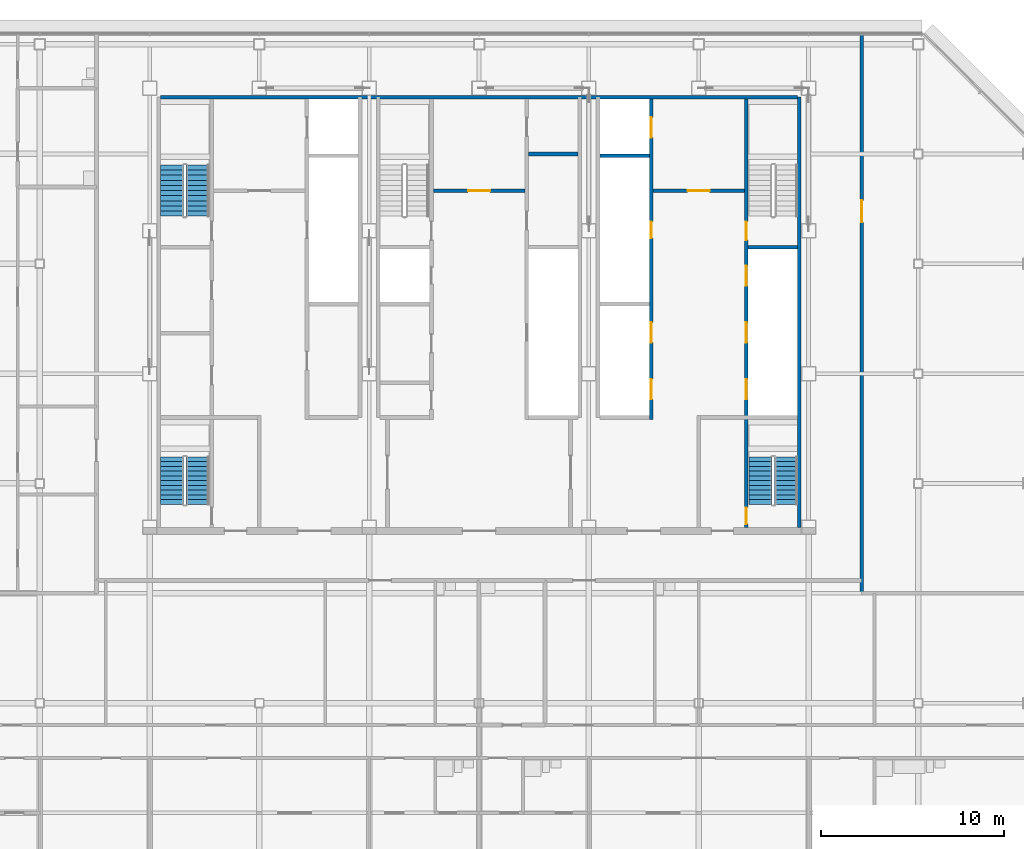
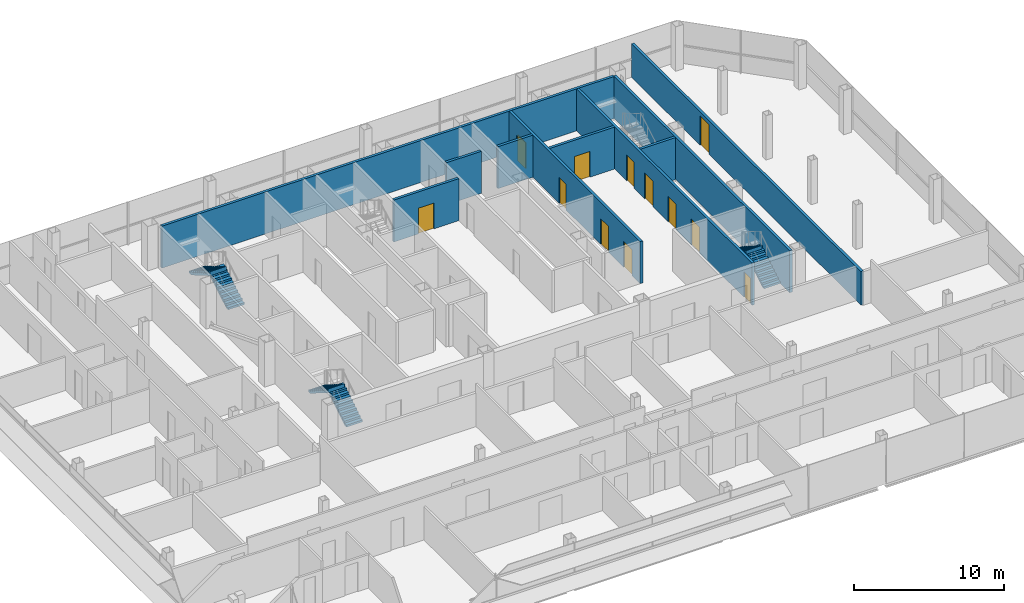
# One storey, part 25 of 28: 12 doors, 10 walls, 6 stair flights, 12 openings, 3 elements without a shape of their own.
"""IFC4 building model written with IfcOpenShell, lengths in metres."""

from ifc_helpers import new_model, si_unit, direction, frame, frame_2d, origin, place, context, subcontext, project, spatial, polyline, rectangle, outline, extrude, material, layer, layer_set, type_object, element, fill, aggregate, save


model = new_model("IFC4")

# Units and contexts
model_context = context("Model", 3, precision=1e-05, world=origin(), true_north=direction((0.0, 1.0)))
body_context = subcontext(model_context, "Body", "Model", "MODEL_VIEW")
ifc_project = project(units=[si_unit("LENGTHUNIT", "METRE"), si_unit("AREAUNIT", "SQUARE_METRE"), si_unit("VOLUMEUNIT", "CUBIC_METRE"), si_unit("PLANEANGLEUNIT", "RADIAN"), si_unit("MASSUNIT", "GRAM", prefix="KILO")], contexts=[model_context])

# Site, building, storey
site_placement = place(None, origin())
site = spatial("IfcSite", under=ifc_project, at=site_placement, CompositionType="ELEMENT")
building_placement = place(site_placement, origin())
building = spatial("IfcBuilding", under=site, at=building_placement, Name="Sorahane Residences", CompositionType="ELEMENT")
storey_placement = place(building_placement, frame((0.0, 0.0, 266.60009765625)))
storey = spatial("IfcBuildingStorey", under=building, at=storey_placement, Name="L63", CompositionType="ELEMENT", Elevation=266.60009765625)

# Walls
ifc_material_1 = material(Name="Concrete C30", Category="concrete")
ifc_layer_1 = layer(ifc_material_1, 0.199951171875)
ifc_layer_set_1 = layer_set([ifc_layer_1], Name="Core face wall 200 EI 180")
wall_type_1 = type_object("IfcWallType", Name="Core face wall 200 EI 180", PredefinedType="SOLIDWALL", material=ifc_layer_set_1)
wall_1_placement = place(storey_placement, frame((41.5, 21.60009765625, 0.0), z_axis=(0.0, 0.0, 1.0), x_axis=(0.0, 1.0, 0.0)))
element("IfcWall", 1, at=wall_1_placement, inside=storey, type_object=wall_type_1, Name="L63 core face wall", PredefinedType="SOLIDWALL", context=body_context, shape_type="SweptSolid", body=[
    extrude(rectangle(XDim=23.5, YDim=0.199951171875, at=frame_2d((11.75, 0.0))), origin(), (0.0, 0.0, 1.0), 3.419921875),
])
wall_2_placement = place(storey_placement, frame((6.60009765625, 45.10009765625, 0.0), z_axis=(0.0, 0.0, 1.0), x_axis=(1.0, 0.0, 0.0)))
element("IfcWall", 2, at=wall_2_placement, inside=storey, type_object=wall_type_1, Name="L63 core face wall", PredefinedType="SOLIDWALL", context=body_context, shape_type="SweptSolid", body=[
    extrude(rectangle(XDim=34.7998046875, YDim=0.199951171875, at=frame_2d((17.39990234375, 0.0))), origin(), (0.0, 0.0, 1.0), 3.419921875),
])

# Wall, opening, door
ifc_material_2 = material(Name="Concrete blockwork C20 wall", Category="masonry")
ifc_layer_2 = layer(ifc_material_2, 0.199951171875)
ifc_layer_set_2 = layer_set([ifc_layer_2], Name="Corridor wall 200 EI 120")
wall_type_2 = type_object("IfcWallType", Name="Corridor wall 200 EI 120", PredefinedType="SOLIDWALL", material=ifc_layer_set_2)
wall_3_placement = place(storey_placement, frame((44.89990234375, 18.0, 0.0), z_axis=(0.0, 0.0, 1.0), x_axis=(0.0, 1.0, 0.0)))
wall_3 = element("IfcWall", 3, at=wall_3_placement, inside=storey, type_object=wall_type_2, Name="L63 corridor wall", PredefinedType="SOLIDWALL", context=body_context, shape_type="SweptSolid", body=[
    extrude(rectangle(XDim=30.60009765625, YDim=0.199951171875, at=frame_2d((15.300048828125, 0.0))), origin(), (0.0, 0.0, 1.0), 2.719970703125),
])
opening_1_placement = place(wall_3_placement, frame((20.27001953125, 0.0, 0.0)))
opening_1 = element("IfcOpeningElement", 4, at=opening_1_placement, cuts=wall_3, Name="Opening L63-47", PredefinedType="OPENING", context=body_context, shape_type="SweptSolid", body=[
    extrude(rectangle(XDim=1.199951171875, YDim=2.39990234375, at=frame_2d((0.60009765625, 1.199951171875))), frame((0.0, 0.10986328125, 0.0), z_axis=(0.0, -1.0, 0.0), x_axis=(1.0, 0.0, 0.0)), (0.0, 0.0, 1.0), 0.219970703125),
])
ifc_material_3 = material(Name="Steel", Category="steel")
door_type_1 = type_object("IfcDoorType", Name="Lobby door 1200x2400 FD60", OperationType="NOTDEFINED", PredefinedType="DOOR", material=ifc_material_3)
door_1_placement = place(opening_1_placement, frame((1.199951171875, 0.0, 0.0), z_axis=(0.0, 0.0, 1.0), x_axis=(-1.0, 0.0, 0.0)))
door_1 = element("IfcDoor", 5, at=door_1_placement, inside=storey, type_object=door_type_1, Name="Lobby door L63-47", OperationType="SINGLE_SWING_LEFT", OverallHeight=2.39990234375, OverallWidth=1.199951171875, PredefinedType="DOOR", context=body_context, shape_type="SweptSolid", body=[
    extrude(rectangle(XDim=1.199951171875, YDim=2.39990234375, at=frame_2d((0.60009765625, 1.199951171875))), frame((0.0, 0.02490234375, 0.0), z_axis=(0.0, -1.0, 0.0), x_axis=(1.0, 0.0, 0.0)), (0.0, 0.0, 1.0), 0.050048828125),
])
fill(opening_1, door_1)

ifc_material_4 = material(Name="Concrete C30", Category="concrete")
ifc_layer_3 = layer(ifc_material_4, 0.199951171875)
ifc_layer_set_3 = layer_set([ifc_layer_3], Name="Front room wall 200 EI 120")
wall_type_3 = type_object("IfcWallType", Name="Front room wall 200 EI 120", PredefinedType="PARTITIONING", material=ifc_layer_set_3)
wall_4_placement = place(storey_placement, frame((21.5, 40.0, 0.0), z_axis=(0.0, 0.0, 1.0), x_axis=(1.0, 0.0, 0.0)))
wall_4 = element("IfcWall", 6, at=wall_4_placement, inside=storey, type_object=wall_type_3, Name="L63 front room wall", PredefinedType="PARTITIONING", context=body_context, shape_type="SweptSolid", body=[
    extrude(rectangle(XDim=5.0, YDim=0.199951171875, at=frame_2d((2.5, 0.0))), origin(), (0.0, 0.0, 1.0), 3.419921875),
])
opening_2_placement = place(wall_4_placement, frame((1.89990234375, 0.0, 0.0)))
opening_2 = element("IfcOpeningElement", 7, at=opening_2_placement, cuts=wall_4, Name="Opening L63-C09", PredefinedType="OPENING", context=body_context, shape_type="SweptSolid", body=[
    extrude(rectangle(XDim=1.199951171875, YDim=2.10009765625, at=frame_2d((0.60009765625, 1.050048828125))), frame((0.0, 0.10986328125, 0.0), z_axis=(0.0, -1.0, 0.0), x_axis=(1.0, 0.0, 0.0)), (0.0, 0.0, 1.0), 0.219970703125),
])
ifc_material_5 = material(Name="Steel", Category="steel")
door_type_2 = type_object("IfcDoorType", Name="Front room door 1200x2100 FD120", OperationType="NOTDEFINED", PredefinedType="DOOR", material=ifc_material_5)
door_2_placement = place(opening_2_placement, frame((1.199951171875, 0.0, 0.0), z_axis=(0.0, 0.0, 1.0), x_axis=(-1.0, 0.0, 0.0)))
door_2 = element("IfcDoor", 8, at=door_2_placement, inside=storey, type_object=door_type_2, Name="Front room door Stair S3 vestibule L63", OperationType="DOUBLE_DOOR_SINGLE_SWING", OverallHeight=2.10009765625, OverallWidth=1.199951171875, PredefinedType="DOOR", context=body_context, shape_type="SweptSolid", body=[
    extrude(rectangle(XDim=1.199951171875, YDim=2.10009765625, at=frame_2d((0.60009765625, 1.050048828125))), frame((0.0, 0.02490234375, 0.0), z_axis=(0.0, -1.0, 0.0), x_axis=(1.0, 0.0, 0.0)), (0.0, 0.0, 1.0), 0.050048828125),
])
fill(opening_2, door_2)

wall_5_placement = place(storey_placement, frame((33.5, 40.0, 0.0), z_axis=(0.0, 0.0, 1.0), x_axis=(1.0, 0.0, 0.0)))
wall_5 = element("IfcWall", 9, at=wall_5_placement, inside=storey, type_object=wall_type_3, Name="L63 front room wall", PredefinedType="PARTITIONING", context=body_context, shape_type="SweptSolid", body=[
    extrude(rectangle(XDim=5.0, YDim=0.199951171875, at=frame_2d((2.5, 0.0))), origin(), (0.0, 0.0, 1.0), 3.419921875),
])
opening_3_placement = place(wall_5_placement, frame((1.89990234375, 0.0, 0.0)))
opening_3 = element("IfcOpeningElement", 10, at=opening_3_placement, cuts=wall_5, Name="Opening L63-C10", PredefinedType="OPENING", context=body_context, shape_type="SweptSolid", body=[
    extrude(rectangle(XDim=1.199951171875, YDim=2.10009765625, at=frame_2d((0.60009765625, 1.050048828125))), frame((0.0, 0.10986328125, 0.0), z_axis=(0.0, -1.0, 0.0), x_axis=(1.0, 0.0, 0.0)), (0.0, 0.0, 1.0), 0.219970703125),
])
door_3_placement = place(opening_3_placement, frame((1.199951171875, 0.0, 0.0), z_axis=(0.0, 0.0, 1.0), x_axis=(-1.0, 0.0, 0.0)))
door_3 = element("IfcDoor", 11, at=door_3_placement, inside=storey, type_object=door_type_2, Name="Front room door Firefighting lobby FF2 front room L63", OperationType="DOUBLE_DOOR_SINGLE_SWING", OverallHeight=2.10009765625, OverallWidth=1.199951171875, PredefinedType="DOOR", context=body_context, shape_type="SweptSolid", body=[
    extrude(rectangle(XDim=1.199951171875, YDim=2.10009765625, at=frame_2d((0.60009765625, 1.050048828125))), frame((0.0, 0.02490234375, 0.0), z_axis=(0.0, -1.0, 0.0), x_axis=(1.0, 0.0, 0.0)), (0.0, 0.0, 1.0), 0.050048828125),
])
fill(opening_3, door_3)

# Wall, openings, doors
ifc_material_6 = material(Name="Concrete C30", Category="concrete")
ifc_layer_4 = layer(ifc_material_6, 0.199951171875)
ifc_layer_set_4 = layer_set([ifc_layer_4], Name="Lift shaft wall 200 EI 120")
wall_type_4 = type_object("IfcWallType", Name="Lift shaft wall 200 EI 120", PredefinedType="SOLIDWALL", material=ifc_layer_set_4)
wall_6_placement = place(storey_placement, frame((33.39990234375, 27.5, 0.0), z_axis=(0.0, 0.0, 1.0), x_axis=(0.0, 1.0, 0.0)))
wall_6 = element("IfcWall", 12, at=wall_6_placement, inside=storey, type_object=wall_type_4, Name="L63 lift shaft wall", PredefinedType="SOLIDWALL", context=body_context, shape_type="SweptSolid", body=[
    extrude(rectangle(XDim=17.5, YDim=0.199951171875, at=frame_2d((8.75, 0.0))), origin(), (0.0, 0.0, 1.0), 3.419921875),
])
opening_4_placement = place(wall_6_placement, frame((1.10009765625, 0.0, 0.0)))
opening_4 = element("IfcOpeningElement", 13, at=opening_4_placement, cuts=wall_6, Name="Opening L63-C14", PredefinedType="OPENING", context=body_context, shape_type="SweptSolid", body=[
    extrude(rectangle(XDim=1.10009765625, YDim=2.10009765625, at=frame_2d((0.550048828125, 1.050048828125))), frame((0.0, 0.10986328125, 0.0), z_axis=(0.0, -1.0, 0.0), x_axis=(1.0, 0.0, 0.0)), (0.0, 0.0, 1.0), 0.219970703125),
])
opening_5_placement = place(wall_6_placement, frame((4.199951171875, 0.0, 0.0)))
opening_5 = element("IfcOpeningElement", 14, at=opening_5_placement, cuts=wall_6, Name="Opening L63-C15", PredefinedType="OPENING", context=body_context, shape_type="SweptSolid", body=[
    extrude(rectangle(XDim=1.10009765625, YDim=2.10009765625, at=frame_2d((0.550048828125, 1.050048828125))), frame((0.0, 0.10986328125, 0.0), z_axis=(0.0, -1.0, 0.0), x_axis=(1.0, 0.0, 0.0)), (0.0, 0.0, 1.0), 0.219970703125),
])
opening_6_placement = place(wall_6_placement, frame((15.39990234375, 0.0, 0.0)))
opening_6 = element("IfcOpeningElement", 15, at=opening_6_placement, cuts=wall_6, Name="Opening L63-C16", PredefinedType="OPENING", context=body_context, shape_type="SweptSolid", body=[
    extrude(rectangle(XDim=1.10009765625, YDim=2.10009765625, at=frame_2d((0.550048828125, 1.050048828125))), frame((0.0, 0.10986328125, 0.0), z_axis=(0.0, -1.0, 0.0), x_axis=(1.0, 0.0, 0.0)), (0.0, 0.0, 1.0), 0.219970703125),
])
opening_7_placement = place(wall_6_placement, frame((9.89990234375, 0.0, 0.0)))
opening_7 = element("IfcOpeningElement", 16, at=opening_7_placement, cuts=wall_6, Name="Opening L63-C29", PredefinedType="OPENING", context=body_context, shape_type="SweptSolid", body=[
    extrude(rectangle(XDim=0.89990234375, YDim=2.10009765625, at=frame_2d((0.449951171875, 1.050048828125))), frame((0.0, 0.10986328125, 0.0), z_axis=(0.0, -1.0, 0.0), x_axis=(1.0, 0.0, 0.0)), (0.0, 0.0, 1.0), 0.219970703125),
])
ifc_material_7 = material(Name="Aluminium and stainless steel", Category="steel")
door_type_3 = type_object("IfcDoorType", Name="Lift landing door 1100x2100 E 60", OperationType="NOTDEFINED", PredefinedType="DOOR", material=ifc_material_7)
door_4_placement = place(opening_4_placement, origin())
door_4 = element("IfcDoor", 17, at=door_4_placement, inside=storey, type_object=door_type_3, Name="Lift landing door HR4 L63", OperationType="DOUBLE_DOOR_SLIDING", OverallHeight=2.10009765625, OverallWidth=1.10009765625, PredefinedType="DOOR", context=body_context, shape_type="SweptSolid", body=[
    extrude(rectangle(XDim=1.10009765625, YDim=2.10009765625, at=frame_2d((0.550048828125, 1.050048828125))), frame((0.0, 0.02490234375, 0.0), z_axis=(0.0, -1.0, 0.0), x_axis=(1.0, 0.0, 0.0)), (0.0, 0.0, 1.0), 0.050048828125),
])
fill(opening_4, door_4)
door_5_placement = place(opening_5_placement, origin())
door_5 = element("IfcDoor", 18, at=door_5_placement, inside=storey, type_object=door_type_3, Name="Lift landing door HR5 L63", OperationType="DOUBLE_DOOR_SLIDING", OverallHeight=2.10009765625, OverallWidth=1.10009765625, PredefinedType="DOOR", context=body_context, shape_type="SweptSolid", body=[
    extrude(rectangle(XDim=1.10009765625, YDim=2.10009765625, at=frame_2d((0.550048828125, 1.050048828125))), frame((0.0, 0.02490234375, 0.0), z_axis=(0.0, -1.0, 0.0), x_axis=(1.0, 0.0, 0.0)), (0.0, 0.0, 1.0), 0.050048828125),
])
fill(opening_5, door_5)
door_6_placement = place(opening_6_placement, origin())
door_6 = element("IfcDoor", 19, at=door_6_placement, inside=storey, type_object=door_type_3, Name="Lift landing door FF2 L63", OperationType="DOUBLE_DOOR_SLIDING", OverallHeight=2.10009765625, OverallWidth=1.10009765625, PredefinedType="DOOR", context=body_context, shape_type="SweptSolid", body=[
    extrude(rectangle(XDim=1.10009765625, YDim=2.10009765625, at=frame_2d((0.550048828125, 1.050048828125))), frame((0.0, 0.02490234375, 0.0), z_axis=(0.0, -1.0, 0.0), x_axis=(1.0, 0.0, 0.0)), (0.0, 0.0, 1.0), 0.050048828125),
])
fill(opening_6, door_6)
ifc_material_8 = material(Name="Steel", Category="steel")
door_type_4 = type_object("IfcDoorType", Name="Riser door 900x2100 FD120", OperationType="NOTDEFINED", PredefinedType="DOOR", material=ifc_material_8)
door_7_placement = place(opening_7_placement, frame((0.89990234375, 0.0, 0.0), z_axis=(0.0, 0.0, 1.0), x_axis=(-1.0, 0.0, 0.0)))
door_7 = element("IfcDoor", 20, at=door_7_placement, inside=storey, type_object=door_type_4, Name="Riser door R2 L63", OperationType="SINGLE_SWING_LEFT", OverallHeight=2.10009765625, OverallWidth=0.89990234375, PredefinedType="DOOR", context=body_context, shape_type="SweptSolid", body=[
    extrude(rectangle(XDim=0.89990234375, YDim=2.10009765625, at=frame_2d((0.449951171875, 1.050048828125))), frame((0.0, 0.02490234375, 0.0), z_axis=(0.0, -1.0, 0.0), x_axis=(1.0, 0.0, 0.0)), (0.0, 0.0, 1.0), 0.050048828125),
])
fill(opening_7, door_7)

# Walls
wall_7_placement = place(storey_placement, frame((30.60009765625, 41.89990234375, 0.0), z_axis=(0.0, 0.0, 1.0), x_axis=(1.0, 0.0, 0.0)))
element("IfcWall", 21, at=wall_7_placement, inside=storey, type_object=wall_type_4, Name="L63 lift shaft wall", PredefinedType="SOLIDWALL", context=body_context, shape_type="SweptSolid", body=[
    extrude(rectangle(XDim=2.699951171875, YDim=0.199951171875, at=frame_2d((1.35009765625, 0.0))), origin(), (0.0, 0.0, 1.0), 3.419921875),
])
ifc_material_9 = material(Name="Concrete C30", Category="concrete")
ifc_layer_5 = layer(ifc_material_9, 0.199951171875)
ifc_layer_set_5 = layer_set([ifc_layer_5], Name="Service room partition 200 EI 60")
wall_type_5 = type_object("IfcWallType", Name="Service room partition 200 EI 60", PredefinedType="PARTITIONING", material=ifc_layer_set_5)
wall_8_placement = place(storey_placement, frame((26.699951171875, 42.0, 0.0), z_axis=(0.0, 0.0, 1.0), x_axis=(1.0, 0.0, 0.0)))
element("IfcWall", 22, at=wall_8_placement, inside=storey, type_object=wall_type_5, Name="L63 service room wall", PredefinedType="PARTITIONING", context=body_context, shape_type="SweptSolid", body=[
    extrude(rectangle(XDim=2.699951171875, YDim=0.199951171875, at=frame_2d((1.35009765625, 0.0))), origin(), (0.0, 0.0, 1.0), 3.419921875),
])

# Wall, openings, doors
ifc_material_10 = material(Name="Concrete C30", Category="concrete")
ifc_layer_6 = layer(ifc_material_10, 0.199951171875)
ifc_layer_set_6 = layer_set([ifc_layer_6], Name="Stair enclosure wall 200 EI 120")
wall_type_6 = type_object("IfcWallType", Name="Stair enclosure wall 200 EI 120", PredefinedType="SOLIDWALL", material=ifc_layer_set_6)
wall_9_placement = place(storey_placement, frame((38.60009765625, 21.60009765625, 0.0), z_axis=(0.0, 0.0, 1.0), x_axis=(0.0, 1.0, 0.0)))
wall_9 = element("IfcWall", 23, at=wall_9_placement, inside=storey, type_object=wall_type_6, Name="L63 stair enclosure wall", PredefinedType="SOLIDWALL", context=body_context, shape_type="SweptSolid", body=[
    extrude(rectangle(XDim=23.39990234375, YDim=0.199951171875, at=frame_2d((11.699951171875, 0.0))), origin(), (0.0, 0.0, 1.0), 3.419921875),
])
opening_8_placement = place(wall_9_placement, frame((7.0, 0.0, 0.0)))
opening_8 = element("IfcOpeningElement", 24, at=opening_8_placement, cuts=wall_9, Name="Opening L63-C11", PredefinedType="OPENING", context=body_context, shape_type="SweptSolid", body=[
    extrude(rectangle(XDim=1.10009765625, YDim=2.10009765625, at=frame_2d((0.550048828125, 1.050048828125))), frame((0.0, 0.10986328125, 0.0), z_axis=(0.0, -1.0, 0.0), x_axis=(1.0, 0.0, 0.0)), (0.0, 0.0, 1.0), 0.219970703125),
])
opening_9_placement = place(wall_9_placement, frame((10.10009765625, 0.0, 0.0)))
opening_9 = element("IfcOpeningElement", 25, at=opening_9_placement, cuts=wall_9, Name="Opening L63-C12", PredefinedType="OPENING", context=body_context, shape_type="SweptSolid", body=[
    extrude(rectangle(XDim=1.10009765625, YDim=2.10009765625, at=frame_2d((0.550048828125, 1.050048828125))), frame((0.0, 0.10986328125, 0.0), z_axis=(0.0, -1.0, 0.0), x_axis=(1.0, 0.0, 0.0)), (0.0, 0.0, 1.0), 0.219970703125),
])
opening_10_placement = place(wall_9_placement, frame((13.199951171875, 0.0, 0.0)))
opening_10 = element("IfcOpeningElement", 26, at=opening_10_placement, cuts=wall_9, Name="Opening L63-C13", PredefinedType="OPENING", context=body_context, shape_type="SweptSolid", body=[
    extrude(rectangle(XDim=1.10009765625, YDim=2.10009765625, at=frame_2d((0.550048828125, 1.050048828125))), frame((0.0, 0.10986328125, 0.0), z_axis=(0.0, -1.0, 0.0), x_axis=(1.0, 0.0, 0.0)), (0.0, 0.0, 1.0), 0.219970703125),
])
opening_11_placement = place(wall_9_placement, frame((15.699951171875, 0.0, 0.0)))
opening_11 = element("IfcOpeningElement", 27, at=opening_11_placement, cuts=wall_9, Name="Opening L63-C24", PredefinedType="OPENING", context=body_context, shape_type="SweptSolid", body=[
    extrude(rectangle(XDim=1.0, YDim=2.10009765625, at=frame_2d((0.5, 1.050048828125))), frame((0.0, 0.10986328125, 0.0), z_axis=(0.0, -1.0, 0.0), x_axis=(1.0, 0.0, 0.0)), (0.0, 0.0, 1.0), 0.219970703125),
])
opening_12_placement = place(wall_9_placement, frame((0.175048828125, 0.0, 0.0)))
opening_12 = element("IfcOpeningElement", 28, at=opening_12_placement, cuts=wall_9, Name="Opening L63-C27", PredefinedType="OPENING", context=body_context, shape_type="SweptSolid", body=[
    extrude(rectangle(XDim=0.89990234375, YDim=2.10009765625, at=frame_2d((0.449951171875, 1.050048828125))), frame((0.0, 0.10986328125, 0.0), z_axis=(0.0, -1.0, 0.0), x_axis=(1.0, 0.0, 0.0)), (0.0, 0.0, 1.0), 0.219970703125),
])
door_8_placement = place(opening_8_placement, origin())
door_8 = element("IfcDoor", 29, at=door_8_placement, inside=storey, type_object=door_type_3, Name="Lift landing door HR1 L63", OperationType="DOUBLE_DOOR_SLIDING", OverallHeight=2.10009765625, OverallWidth=1.10009765625, PredefinedType="DOOR", context=body_context, shape_type="SweptSolid", body=[
    extrude(rectangle(XDim=1.10009765625, YDim=2.10009765625, at=frame_2d((0.550048828125, 1.050048828125))), frame((0.0, 0.02490234375, 0.0), z_axis=(0.0, -1.0, 0.0), x_axis=(1.0, 0.0, 0.0)), (0.0, 0.0, 1.0), 0.050048828125),
])
fill(opening_8, door_8)
door_9_placement = place(opening_9_placement, origin())
door_9 = element("IfcDoor", 30, at=door_9_placement, inside=storey, type_object=door_type_3, Name="Lift landing door HR2 L63", OperationType="DOUBLE_DOOR_SLIDING", OverallHeight=2.10009765625, OverallWidth=1.10009765625, PredefinedType="DOOR", context=body_context, shape_type="SweptSolid", body=[
    extrude(rectangle(XDim=1.10009765625, YDim=2.10009765625, at=frame_2d((0.550048828125, 1.050048828125))), frame((0.0, 0.02490234375, 0.0), z_axis=(0.0, -1.0, 0.0), x_axis=(1.0, 0.0, 0.0)), (0.0, 0.0, 1.0), 0.050048828125),
])
fill(opening_9, door_9)
door_10_placement = place(opening_10_placement, origin())
door_10 = element("IfcDoor", 31, at=door_10_placement, inside=storey, type_object=door_type_3, Name="Lift landing door HR3 L63", OperationType="DOUBLE_DOOR_SLIDING", OverallHeight=2.10009765625, OverallWidth=1.10009765625, PredefinedType="DOOR", context=body_context, shape_type="SweptSolid", body=[
    extrude(rectangle(XDim=1.10009765625, YDim=2.10009765625, at=frame_2d((0.550048828125, 1.050048828125))), frame((0.0, 0.02490234375, 0.0), z_axis=(0.0, -1.0, 0.0), x_axis=(1.0, 0.0, 0.0)), (0.0, 0.0, 1.0), 0.050048828125),
])
fill(opening_10, door_10)
ifc_material_11 = material(Name="Steel", Category="steel")
door_type_5 = type_object("IfcDoorType", Name="Stair door 1000x2100 FD120", OperationType="NOTDEFINED", PredefinedType="DOOR", material=ifc_material_11)
door_11_placement = place(opening_11_placement, frame((1.0, 0.0, 0.0), z_axis=(0.0, 0.0, 1.0), x_axis=(-1.0, 0.0, 0.0)))
door_11 = element("IfcDoor", 32, at=door_11_placement, inside=storey, type_object=door_type_5, Name="Stair door S2 L63", OperationType="SINGLE_SWING_LEFT", OverallHeight=2.10009765625, OverallWidth=1.0, PredefinedType="DOOR", context=body_context, shape_type="SweptSolid", body=[
    extrude(rectangle(XDim=1.0, YDim=2.10009765625, at=frame_2d((0.5, 1.050048828125))), frame((0.0, 0.02490234375, 0.0), z_axis=(0.0, -1.0, 0.0), x_axis=(1.0, 0.0, 0.0)), (0.0, 0.0, 1.0), 0.050048828125),
])
fill(opening_11, door_11)
ifc_material_12 = material(Name="Steel", Category="steel")
door_type_6 = type_object("IfcDoorType", Name="Stair door 900x2100 FD120", OperationType="NOTDEFINED", PredefinedType="DOOR", material=ifc_material_12)
door_12_placement = place(opening_12_placement, frame((0.89990234375, 0.0, 0.0), z_axis=(0.0, 0.0, 1.0), x_axis=(-1.0, 0.0, 0.0)))
door_12 = element("IfcDoor", 33, at=door_12_placement, inside=storey, type_object=door_type_6, Name="Stair door S5 L63", OperationType="SINGLE_SWING_LEFT", OverallHeight=2.10009765625, OverallWidth=0.89990234375, PredefinedType="DOOR", context=body_context, shape_type="SweptSolid", body=[
    extrude(rectangle(XDim=0.89990234375, YDim=2.10009765625, at=frame_2d((0.449951171875, 1.050048828125))), frame((0.0, 0.02490234375, 0.0), z_axis=(0.0, -1.0, 0.0), x_axis=(1.0, 0.0, 0.0)), (0.0, 0.0, 1.0), 0.050048828125),
])
fill(opening_12, door_12)

# Wall
wall_10_placement = place(storey_placement, frame((38.699951171875, 36.89990234375, 0.0), z_axis=(0.0, 0.0, 1.0), x_axis=(1.0, 0.0, 0.0)))
element("IfcWall", 34, at=wall_10_placement, inside=storey, type_object=wall_type_6, Name="L63 stair enclosure wall", PredefinedType="SOLIDWALL", context=body_context, shape_type="SweptSolid", body=[
    extrude(rectangle(XDim=2.699951171875, YDim=0.199951171875, at=frame_2d((1.35009765625, 0.0))), origin(), (0.0, 0.0, 1.0), 3.419921875),
])

# Stair, stair flights
ifc_material_13 = material(Name="Concrete C40", Category="concrete")
stair_type = type_object("IfcStairType", Name="Dog-leg stair 1250 Concrete C40", PredefinedType="HALF_TURN_STAIR", material=ifc_material_13)
stair_1_placement = place(storey_placement, origin())
stair_1 = element("IfcStair", 35, at=stair_1_placement, inside=storey, type_object=stair_type, Name="L63 Stair S1", PredefinedType="HALF_TURN_STAIR")
ifc_material_14 = material(Name="Concrete C40", Category="concrete")
stair_flight_type = type_object("IfcStairFlightType", Name="Stair flight 1250 Concrete C40", PredefinedType="STRAIGHT", material=ifc_material_14)
stair_flight_1_placement = place(storey_placement, frame((8.625, 38.60009765625, 0.0), z_axis=(0.0, 0.0, 1.0), x_axis=(0.0, 1.0, 0.0)))
stair_flight_1 = element("IfcStairFlight", 36, at=stair_flight_1_placement, type_object=stair_flight_type, Name="S1 flight 1", NumberOfRisers=11, NumberOfTreads=10, PredefinedType="STRAIGHT", RiserHeight=0.163636364, TreadLength=0.28, context=body_context, shape_type="SweptSolid", body=[
    extrude(outline(polyline([(-0.00146484375, 0.0), (-0.00146484375, 0.16357421875), (0.0, 0.16357421875), (0.280029296875, 0.16357421875), (0.280029296875, 0.327392578125), (0.56005859375, 0.327392578125), (0.56005859375, 0.490966796875), (0.840087890625, 0.490966796875), (0.840087890625, 0.654541015625), (1.1201171875, 0.654541015625), (1.1201171875, 0.818115234375), (1.39990234375, 0.818115234375), (1.39990234375, 0.98193359375), (1.679931640625, 0.98193359375), (1.679931640625, 1.1455078125), (1.9599609375, 1.1455078125), (1.9599609375, 1.30908203125), (2.239990234375, 1.30908203125), (2.239990234375, 1.47265625), (2.52001953125, 1.47265625), (2.52001953125, 1.636474609375), (2.800048828125, 1.636474609375), (2.800048828125, 1.800048828125), (2.800048828125, 1.462646484375), (2.59130859375, 1.3408203125), (2.3828125, 1.218994140625), (2.17431640625, 1.09716796875), (1.965576171875, 0.97509765625), (1.757080078125, 0.853271484375), (1.548583984375, 0.7314453125), (1.340087890625, 0.609375), (1.13134765625, 0.487548828125), (0.9228515625, 0.36572265625), (0.71435546875, 0.243896484375), (0.505615234375, 0.121826171875), (0.297119140625, 0.0), (-0.00146484375, 0.0)])), frame((0.0, 0.625, 0.0), z_axis=(0.0, -1.0, 0.0), x_axis=(1.0, 0.0, 0.0)), (0.0, 0.0, 1.0), 1.25),
])
stair_flight_2_placement = place(storey_placement, frame((7.22509765625, 41.39990234375, 1.7998046875), z_axis=(0.0, 0.0, 1.0), x_axis=(0.0, -1.0, 0.0)))
stair_flight_2 = element("IfcStairFlight", 37, at=stair_flight_2_placement, type_object=stair_flight_type, Name="S1 flight 2", NumberOfRisers=11, NumberOfTreads=10, PredefinedType="STRAIGHT", RiserHeight=0.163636364, TreadLength=0.28, context=body_context, shape_type="SweptSolid", body=[
    extrude(outline(polyline([(0.0, 0.0), (0.0, 0.16357421875), (0.280029296875, 0.16357421875), (0.280029296875, 0.327392578125), (0.56005859375, 0.327392578125), (0.56005859375, 0.490966796875), (0.840087890625, 0.490966796875), (0.840087890625, 0.654541015625), (1.1201171875, 0.654541015625), (1.1201171875, 0.818115234375), (1.39990234375, 0.818115234375), (1.39990234375, 0.98193359375), (1.679931640625, 0.98193359375), (1.679931640625, 1.1455078125), (1.9599609375, 1.1455078125), (1.9599609375, 1.30908203125), (2.239990234375, 1.30908203125), (2.239990234375, 1.47265625), (2.52001953125, 1.47265625), (2.52001953125, 1.636474609375), (2.800048828125, 1.636474609375), (2.800048828125, 1.800048828125), (2.801513671875, 1.800048828125), (2.801513671875, 1.462646484375), (2.5927734375, 1.3408203125), (2.384033203125, 1.218994140625), (2.17529296875, 1.09716796875), (1.966796875, 0.97509765625), (1.758056640625, 0.853271484375), (1.54931640625, 0.7314453125), (1.340576171875, 0.609375), (1.1318359375, 0.487548828125), (0.923095703125, 0.36572265625), (0.714599609375, 0.243896484375), (0.505859375, 0.121826171875), (0.297119140625, 0.0), (0.0, 0.0)])), frame((0.0, 0.625, 0.0), z_axis=(0.0, -1.0, 0.0), x_axis=(1.0, 0.0, 0.0)), (0.0, 0.0, 1.0), 1.25),
])
aggregate(stair_1, [stair_flight_1, stair_flight_2])

stair_2_placement = place(storey_placement, origin())
stair_2 = element("IfcStair", 38, at=stair_2_placement, inside=storey, type_object=stair_type, Name="L63 Stair S4", PredefinedType="HALF_TURN_STAIR")
stair_flight_3_placement = place(storey_placement, frame((8.625, 22.85009765625, 0.0), z_axis=(0.0, 0.0, 1.0), x_axis=(0.0, 1.0, 0.0)))
stair_flight_3 = element("IfcStairFlight", 39, at=stair_flight_3_placement, type_object=stair_flight_type, Name="S4 flight 1", NumberOfRisers=11, NumberOfTreads=10, PredefinedType="STRAIGHT", RiserHeight=0.163636364, TreadLength=0.26, context=body_context, shape_type="SweptSolid", body=[
    extrude(outline(polyline([(-0.00146484375, 0.0), (-0.00146484375, 0.16357421875), (0.0, 0.16357421875), (0.260009765625, 0.16357421875), (0.260009765625, 0.327392578125), (0.52001953125, 0.327392578125), (0.52001953125, 0.490966796875), (0.780029296875, 0.490966796875), (0.780029296875, 0.654541015625), (1.0400390625, 0.654541015625), (1.0400390625, 0.818115234375), (1.300048828125, 0.818115234375), (1.300048828125, 0.98193359375), (1.56005859375, 0.98193359375), (1.56005859375, 1.1455078125), (1.820068359375, 1.1455078125), (1.820068359375, 1.30908203125), (2.080078125, 1.30908203125), (2.080078125, 1.47265625), (2.340087890625, 1.47265625), (2.340087890625, 1.636474609375), (2.60009765625, 1.636474609375), (2.60009765625, 1.800048828125), (2.60009765625, 1.494384765625), (2.402099609375, 1.369873046875), (2.204345703125, 1.245361328125), (2.00634765625, 1.120849609375), (1.80859375, 0.996337890625), (1.610595703125, 0.871826171875), (1.412841796875, 0.747314453125), (1.21484375, 0.622802734375), (1.01708984375, 0.498046875), (0.819091796875, 0.37353515625), (0.621337890625, 0.2490234375), (0.42333984375, 0.12451171875), (0.2255859375, 0.0), (-0.00146484375, 0.0)])), frame((0.0, 0.625, 0.0), z_axis=(0.0, -1.0, 0.0), x_axis=(1.0, 0.0, 0.0)), (0.0, 0.0, 1.0), 1.25),
])
stair_flight_4_placement = place(storey_placement, frame((7.22509765625, 25.449951171875, 1.7998046875), z_axis=(0.0, 0.0, 1.0), x_axis=(0.0, -1.0, 0.0)))
stair_flight_4 = element("IfcStairFlight", 40, at=stair_flight_4_placement, type_object=stair_flight_type, Name="S4 flight 2", NumberOfRisers=11, NumberOfTreads=10, PredefinedType="STRAIGHT", RiserHeight=0.163636364, TreadLength=0.26, context=body_context, shape_type="SweptSolid", body=[
    extrude(outline(polyline([(0.0, 0.0), (0.0, 0.16357421875), (0.260009765625, 0.16357421875), (0.260009765625, 0.327392578125), (0.52001953125, 0.327392578125), (0.52001953125, 0.490966796875), (0.780029296875, 0.490966796875), (0.780029296875, 0.654541015625), (1.0400390625, 0.654541015625), (1.0400390625, 0.818115234375), (1.300048828125, 0.818115234375), (1.300048828125, 0.98193359375), (1.56005859375, 0.98193359375), (1.56005859375, 1.1455078125), (1.820068359375, 1.1455078125), (1.820068359375, 1.30908203125), (2.080078125, 1.30908203125), (2.080078125, 1.47265625), (2.340087890625, 1.47265625), (2.340087890625, 1.636474609375), (2.60009765625, 1.636474609375), (2.60009765625, 1.800048828125), (2.6015625, 1.800048828125), (2.6015625, 1.494384765625), (2.403564453125, 1.369873046875), (2.20556640625, 1.245361328125), (2.007568359375, 1.120849609375), (1.8095703125, 0.996337890625), (1.611572265625, 0.871826171875), (1.41357421875, 0.747314453125), (1.215576171875, 0.622802734375), (1.017578125, 0.498046875), (0.819580078125, 0.37353515625), (0.62158203125, 0.2490234375), (0.423583984375, 0.12451171875), (0.2255859375, 0.0), (0.0, 0.0)])), frame((0.0, 0.625, 0.0), z_axis=(0.0, -1.0, 0.0), x_axis=(1.0, 0.0, 0.0)), (0.0, 0.0, 1.0), 1.25),
])
aggregate(stair_2, [stair_flight_3, stair_flight_4])

stair_3_placement = place(storey_placement, origin())
stair_3 = element("IfcStair", 41, at=stair_3_placement, inside=storey, type_object=stair_type, Name="L63 Stair S5", PredefinedType="HALF_TURN_STAIR")
stair_flight_5_placement = place(storey_placement, frame((40.77490234375, 22.85009765625, 0.0), z_axis=(0.0, 0.0, 1.0), x_axis=(0.0, 1.0, 0.0)))
stair_flight_5 = element("IfcStairFlight", 42, at=stair_flight_5_placement, type_object=stair_flight_type, Name="S5 flight 1", NumberOfRisers=11, NumberOfTreads=10, PredefinedType="STRAIGHT", RiserHeight=0.163636364, TreadLength=0.26, context=body_context, shape_type="SweptSolid", body=[
    extrude(outline(polyline([(-0.00146484375, 0.0), (-0.00146484375, 0.16357421875), (0.0, 0.16357421875), (0.260009765625, 0.16357421875), (0.260009765625, 0.327392578125), (0.52001953125, 0.327392578125), (0.52001953125, 0.490966796875), (0.780029296875, 0.490966796875), (0.780029296875, 0.654541015625), (1.0400390625, 0.654541015625), (1.0400390625, 0.818115234375), (1.300048828125, 0.818115234375), (1.300048828125, 0.98193359375), (1.56005859375, 0.98193359375), (1.56005859375, 1.1455078125), (1.820068359375, 1.1455078125), (1.820068359375, 1.30908203125), (2.080078125, 1.30908203125), (2.080078125, 1.47265625), (2.340087890625, 1.47265625), (2.340087890625, 1.636474609375), (2.60009765625, 1.636474609375), (2.60009765625, 1.800048828125), (2.60009765625, 1.494384765625), (2.402099609375, 1.369873046875), (2.204345703125, 1.245361328125), (2.00634765625, 1.120849609375), (1.80859375, 0.996337890625), (1.610595703125, 0.871826171875), (1.412841796875, 0.747314453125), (1.21484375, 0.622802734375), (1.01708984375, 0.498046875), (0.819091796875, 0.37353515625), (0.621337890625, 0.2490234375), (0.42333984375, 0.12451171875), (0.2255859375, 0.0), (-0.00146484375, 0.0)])), frame((0.0, 0.625, 0.0), z_axis=(0.0, -1.0, 0.0), x_axis=(1.0, 0.0, 0.0)), (0.0, 0.0, 1.0), 1.25),
])
stair_flight_6_placement = place(storey_placement, frame((39.375, 25.449951171875, 1.7998046875), z_axis=(0.0, 0.0, 1.0), x_axis=(0.0, -1.0, 0.0)))
stair_flight_6 = element("IfcStairFlight", 43, at=stair_flight_6_placement, type_object=stair_flight_type, Name="S5 flight 2", NumberOfRisers=11, NumberOfTreads=10, PredefinedType="STRAIGHT", RiserHeight=0.163636364, TreadLength=0.26, context=body_context, shape_type="SweptSolid", body=[
    extrude(outline(polyline([(0.0, 0.0), (0.0, 0.16357421875), (0.260009765625, 0.16357421875), (0.260009765625, 0.327392578125), (0.52001953125, 0.327392578125), (0.52001953125, 0.490966796875), (0.780029296875, 0.490966796875), (0.780029296875, 0.654541015625), (1.0400390625, 0.654541015625), (1.0400390625, 0.818115234375), (1.300048828125, 0.818115234375), (1.300048828125, 0.98193359375), (1.56005859375, 0.98193359375), (1.56005859375, 1.1455078125), (1.820068359375, 1.1455078125), (1.820068359375, 1.30908203125), (2.080078125, 1.30908203125), (2.080078125, 1.47265625), (2.340087890625, 1.47265625), (2.340087890625, 1.636474609375), (2.60009765625, 1.636474609375), (2.60009765625, 1.800048828125), (2.6015625, 1.800048828125), (2.6015625, 1.494384765625), (2.403564453125, 1.369873046875), (2.20556640625, 1.245361328125), (2.007568359375, 1.120849609375), (1.8095703125, 0.996337890625), (1.611572265625, 0.871826171875), (1.41357421875, 0.747314453125), (1.215576171875, 0.622802734375), (1.017578125, 0.498046875), (0.819580078125, 0.37353515625), (0.62158203125, 0.2490234375), (0.423583984375, 0.12451171875), (0.2255859375, 0.0), (0.0, 0.0)])), frame((0.0, 0.625, 0.0), z_axis=(0.0, -1.0, 0.0), x_axis=(1.0, 0.0, 0.0)), (0.0, 0.0, 1.0), 1.25),
])
aggregate(stair_3, [stair_flight_5, stair_flight_6])

save(model, "model.ifc")
